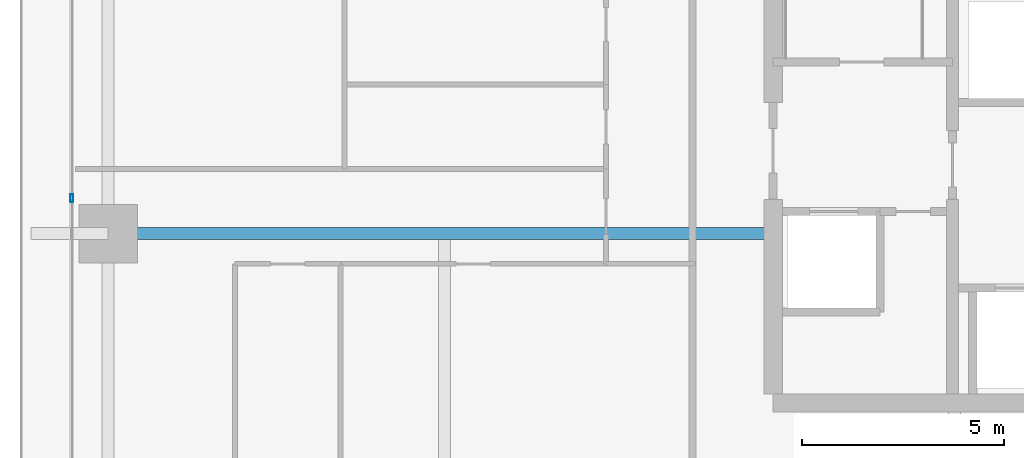
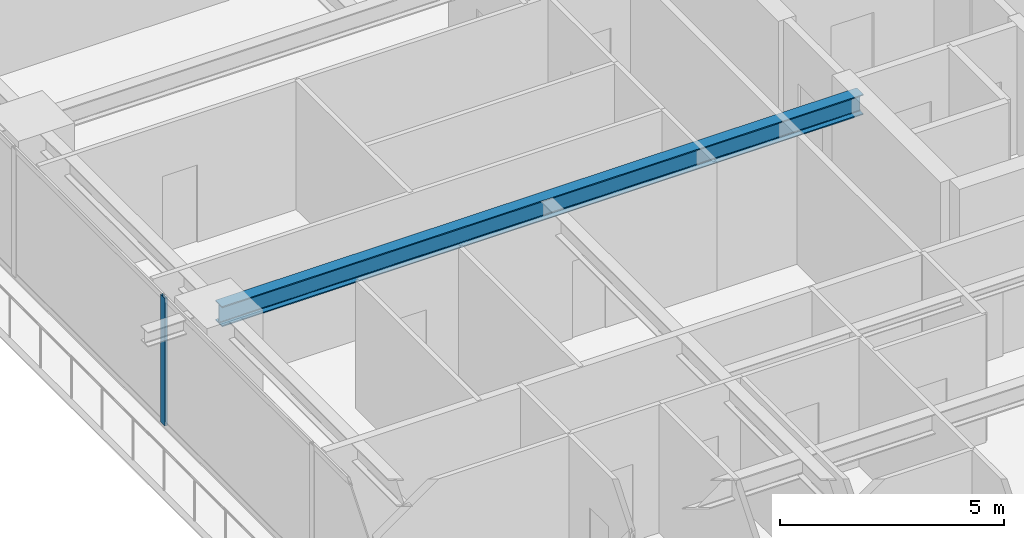
# One storey, part 7 of 37: 1 beam, 1 member, 1 element without a shape of its own.
"""IFC4 building model written with IfcOpenShell, lengths in metres."""

from ifc_helpers import new_model, si_unit, direction, frame, origin, origin_2d, place, context, subcontext, project, spatial, hollow_rectangle, i_section, extrude, source, transform, mapped, material, layer, layer_set, material_profile, profile_set, type_object, element, aggregate, save


model = new_model("IFC4")

# Units and contexts
model_context = context("Model", 3, precision=1e-05, world=origin(), true_north=direction((0.0, 1.0)))
body_context = subcontext(model_context, "Body", "Model", "MODEL_VIEW")
ifc_project = project(units=[si_unit("LENGTHUNIT", "METRE"), si_unit("AREAUNIT", "SQUARE_METRE"), si_unit("VOLUMEUNIT", "CUBIC_METRE"), si_unit("PLANEANGLEUNIT", "RADIAN"), si_unit("MASSUNIT", "GRAM", prefix="KILO")], contexts=[model_context])

# Site, building, storey
site_placement = place(None, origin())
site = spatial("IfcSite", under=ifc_project, at=site_placement, CompositionType="ELEMENT")
building_placement = place(site_placement, origin())
building = spatial("IfcBuilding", under=site, at=building_placement, Name="Serunith Strait Residences", CompositionType="ELEMENT")
storey_placement = place(building_placement, frame((0.0, 0.0, 34.199951171875)))
storey = spatial("IfcBuildingStorey", under=building, at=storey_placement, Name="L07", CompositionType="ELEMENT", Elevation=34.199951171875)

# Beam
ifc_material_1 = material(Name="Steel S355J2", Category="steel")
ifc_material_profile_1 = material_profile(ifc_material_1, i_section(OverallWidth=0.300048828125, OverallDepth=0.550048828125, WebThickness=0.014892578125, FlangeThickness=0.029052734375, FilletRadius=0.027099609375, at=origin_2d()), Name="HEB 550")
ifc_profile_set_1 = profile_set([ifc_material_profile_1], Name="Steel S355J2")
beam_type = type_object("IfcBeamType", Name="BM-HEB550", PredefinedType="BEAM", material=ifc_profile_set_1)
shared_shape_1 = source(origin(), body_context, "Body", "SweptSolid", [
    extrude(i_section(OverallWidth=0.300048828125, OverallDepth=0.550048828125, WebThickness=0.014892578125, FlangeThickness=0.029052734375, FilletRadius=0.027099609375, at=origin_2d()), origin(), (0.0, 0.0, 1.0), 16.5),
])
beam_placement = place(storey_placement, frame((23.39990234375, 21.0, 3.212158203125), z_axis=(-1.0, 0.0, 0.0), x_axis=(0.0, -1.0, 0.0)))
element("IfcBeam", 1, at=beam_placement, inside=storey, type_object=beam_type, Name="L07 Primary Floor Girder TC-W2", PredefinedType="BEAM", context=body_context, shape_type="MappedRepresentation", body=[
    mapped(shared_shape_1, transform((0.0, 0.0, 0.0), scale=1.0)),
])

# Curtain wall, member
ifc_material_2 = material(Name="Pale-Champagne Anodised Aluminium", Category="aluminium")
ifc_layer = layer(ifc_material_2, 0.199951171875, Name="Pale-Champagne Anodised Aluminium")
ifc_layer_set = layer_set([ifc_layer], Name="Pale-Champagne Anodised Aluminium")
curtain_wall_type = type_object("IfcCurtainWallType", Name="CW-SYS1", PredefinedType="NOTDEFINED", material=ifc_layer_set)
curtain_wall_placement = place(storey_placement, origin())
curtain_wall = element("IfcCurtainWall", 2, at=curtain_wall_placement, inside=storey, type_object=curtain_wall_type, Name="L07 W Unitised Fritted Curtain Wall", PredefinedType="NOTDEFINED")
ifc_material_profile_2 = material_profile(ifc_material_2, hollow_rectangle(XDim=0.070068359375, YDim=0.199951171875, WallThickness=0.00390625, InnerFilletRadius=0.006103515625, OuterFilletRadius=0.010009765625, at=origin_2d()), Name="ALU 200x70x4")
ifc_profile_set_2 = profile_set([ifc_material_profile_2], Name="Pale-Champagne Anodised Aluminium")
member_type = type_object("IfcMemberType", Name="CW-SYS1-MULL", PredefinedType="MULLION", material=ifc_profile_set_2)
shared_shape_2 = source(origin(), body_context, "Body", "SweptSolid", [
    extrude(hollow_rectangle(XDim=0.070068359375, YDim=0.199951171875, WallThickness=0.00390625, InnerFilletRadius=0.006103515625, OuterFilletRadius=0.010009765625, at=origin_2d()), origin(), (0.0, 0.0, 1.0), 3.47509765625),
])
member_placement = place(storey_placement, frame((6.0, 21.8798828125, 0.0), z_axis=(0.0, 0.0, 1.0), x_axis=(1.0, 0.0, 0.0)))
member = element("IfcMember", 3, at=member_placement, type_object=member_type, Name="CW-1 mullion 4", PredefinedType="MULLION", context=body_context, shape_type="MappedRepresentation", body=[
    mapped(shared_shape_2, transform((0.0, 0.0, 0.0), scale=1.0)),
])
aggregate(curtain_wall, [member])

save(model, "model.ifc")
